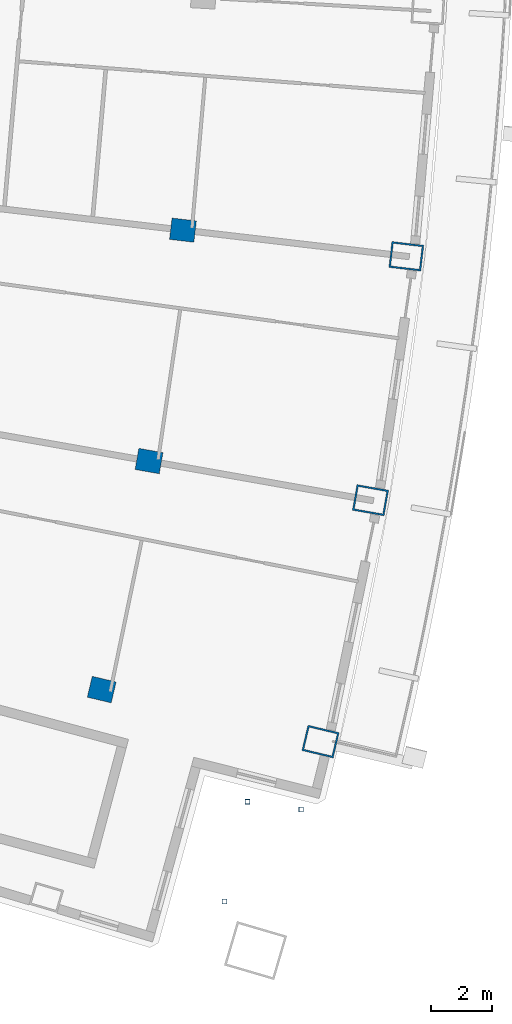
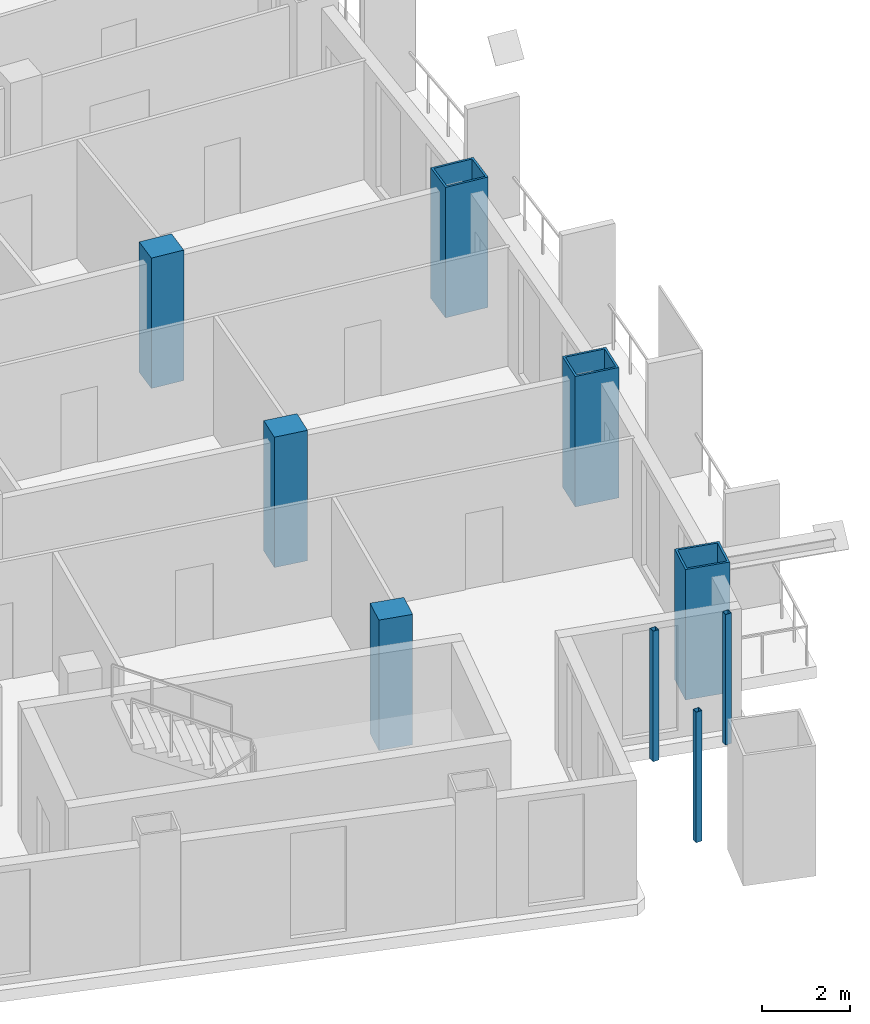
# One storey, part 3 of 17: 9 columns.
"""IFC4 building model written with IfcOpenShell, lengths in metres."""

from ifc_helpers import new_model, si_unit, direction, frame, origin, origin_2d, place, context, subcontext, project, spatial, rectangle, hollow_rectangle, extrude, material, material_profile, profile_set, type_object, element, save


model = new_model("IFC4")

# Units and contexts
model_context = context("Model", 3, precision=1e-05, world=origin(), true_north=direction((0.0, 1.0)))
body_context = subcontext(model_context, "Body", "Model", "MODEL_VIEW")
ifc_project = project(units=[si_unit("LENGTHUNIT", "METRE"), si_unit("AREAUNIT", "SQUARE_METRE"), si_unit("VOLUMEUNIT", "CUBIC_METRE"), si_unit("PLANEANGLEUNIT", "RADIAN"), si_unit("MASSUNIT", "GRAM", prefix="KILO")], contexts=[model_context])

# Site, building, storey
site_placement = place(None, origin())
site = spatial("IfcSite", under=ifc_project, at=site_placement, CompositionType="ELEMENT")
building_placement = place(site_placement, origin())
building = spatial("IfcBuilding", under=site, at=building_placement, Name="Alderwake Tower", CompositionType="ELEMENT")
storey_placement = place(building_placement, frame((0.0, 0.0, 218.0)))
storey = spatial("IfcBuildingStorey", under=building, at=storey_placement, Name="L54", CompositionType="ELEMENT", Elevation=218.0)

# Columns
ifc_material_1 = material(Name="Concrete C70/85", Category="concrete")
ifc_material_profile_1 = material_profile(ifc_material_1, rectangle(XDim=0.699951171875, YDim=0.800048828125, at=origin_2d()), Name="RC 800X700")
ifc_profile_set_1 = profile_set([ifc_material_profile_1], Name="Concrete C70/85")
column_type_1 = type_object("IfcColumnType", Name="Interior column Z4", PredefinedType="COLUMN", material=ifc_profile_set_1)
for number, where, z_axis, x_axis, name in (
    (1, (46.93115234375, 30.833251953125, 0.0), (0.0, 0.0, 1.0), (0.231221547198, 0.972901123502, 0.0), "Column R03-C4"),
    (2, (48.47412109375, 38.28466796875, 0.0), (0.0, 0.0, 1.0), (0.174108800747, 0.984726421654, 0.0), "Column R04-C4"),
    (3, (49.579833984375, 45.8134765625, 0.0), (0.0, 0.0, 1.0), (0.116402054316, 0.993202175668, 0.0), "Column R05-C4"),
):
    element("IfcColumn", number, at=place(storey_placement, frame(where, z_axis=z_axis, x_axis=x_axis)), inside=storey, type_object=column_type_1, Name=name, PredefinedType="COLUMN", context=body_context, shape_type="SweptSolid", body=[
        extrude(rectangle(XDim=0.699951171875, YDim=0.800048828125, at=origin_2d()), origin(), (0.0, 0.0, 1.0), 3.60009765625),
    ])
ifc_material_2 = material(Name="Steel ASTM A500 Grade C", Category="steel")
ifc_material_profile_2 = material_profile(ifc_material_2, hollow_rectangle(XDim=0.15234375, YDim=0.15234375, WallThickness=0.0087890625, at=origin_2d()), Name="HSS6X6X3/8")
ifc_profile_set_2 = profile_set([ifc_material_profile_2], Name="Steel ASTM A500 Grade C")
column_type_2 = type_object("IfcColumnType", Name="Light post HSS6X6X3/8", PredefinedType="COLUMN", material=ifc_profile_set_2)
for number, where, z_axis, x_axis, name in (
    (4, (53.4326171875, 26.925537109375, 0.0), (0.0, 0.0, 1.0), (1.0, 0.0, 0.0), "Terrace post FS1"),
    (5, (50.9326171875, 23.925537109375, 0.0), (0.0, 0.0, 1.0), (1.0, 0.0, 0.0), "Terrace post FS2"),
    (6, (51.6826171875, 27.175537109375, 0.0), (0.0, 0.0, 1.0), (1.0, 0.0, 0.0), "Terrace post FS3"),
):
    element("IfcColumn", number, at=place(storey_placement, frame(where, z_axis=z_axis, x_axis=x_axis)), inside=storey, type_object=column_type_2, Name=name, PredefinedType="COLUMN", context=body_context, shape_type="SweptSolid", body=[
        extrude(hollow_rectangle(XDim=0.15234375, YDim=0.15234375, WallThickness=0.0087890625, at=origin_2d()), origin(), (0.0, 0.0, 1.0), 3.60009765625),
    ])
ifc_material_3 = material(Name="Steel ASTM A572 Grade 50 concrete filled C70/85", Category="concrete")
ifc_material_profile_3 = material_profile(ifc_material_3, hollow_rectangle(XDim=0.85009765625, YDim=1.050048828125, WallThickness=0.054931640625, at=origin_2d()), Name="BOX 1050X850X55")
ifc_profile_set_3 = profile_set([ifc_material_profile_3], Name="Steel ASTM A572 Grade 50 concrete filled C70/85")
column_type_3 = type_object("IfcColumnType", Name="Perimeter column Z4", PredefinedType="COLUMN", material=ifc_profile_set_3)
for number, where, z_axis, x_axis, name in (
    (7, (54.06591796875, 29.1376953125, 0.0), (0.0, 0.0, 1.0), (0.231221547198, 0.972901123502, 0.0), "Column R03-C5"),
    (8, (55.6953125, 37.0078125, 0.0), (0.0, 0.0, 1.0), (0.174108800747, 0.984726421654, 0.0), "Column R04-C5"),
    (9, (56.86328125, 44.959716796875, 0.0), (0.0, 0.0, 1.0), (0.116402054316, 0.993202175668, 0.0), "Column R05-C5"),
):
    element("IfcColumn", number, at=place(storey_placement, frame(where, z_axis=z_axis, x_axis=x_axis)), inside=storey, type_object=column_type_3, Name=name, PredefinedType="COLUMN", context=body_context, shape_type="SweptSolid", body=[
        extrude(hollow_rectangle(XDim=0.85009765625, YDim=1.050048828125, WallThickness=0.054931640625, at=origin_2d()), origin(), (0.0, 0.0, 1.0), 3.60009765625),
    ])

save(model, "model.ifc")
